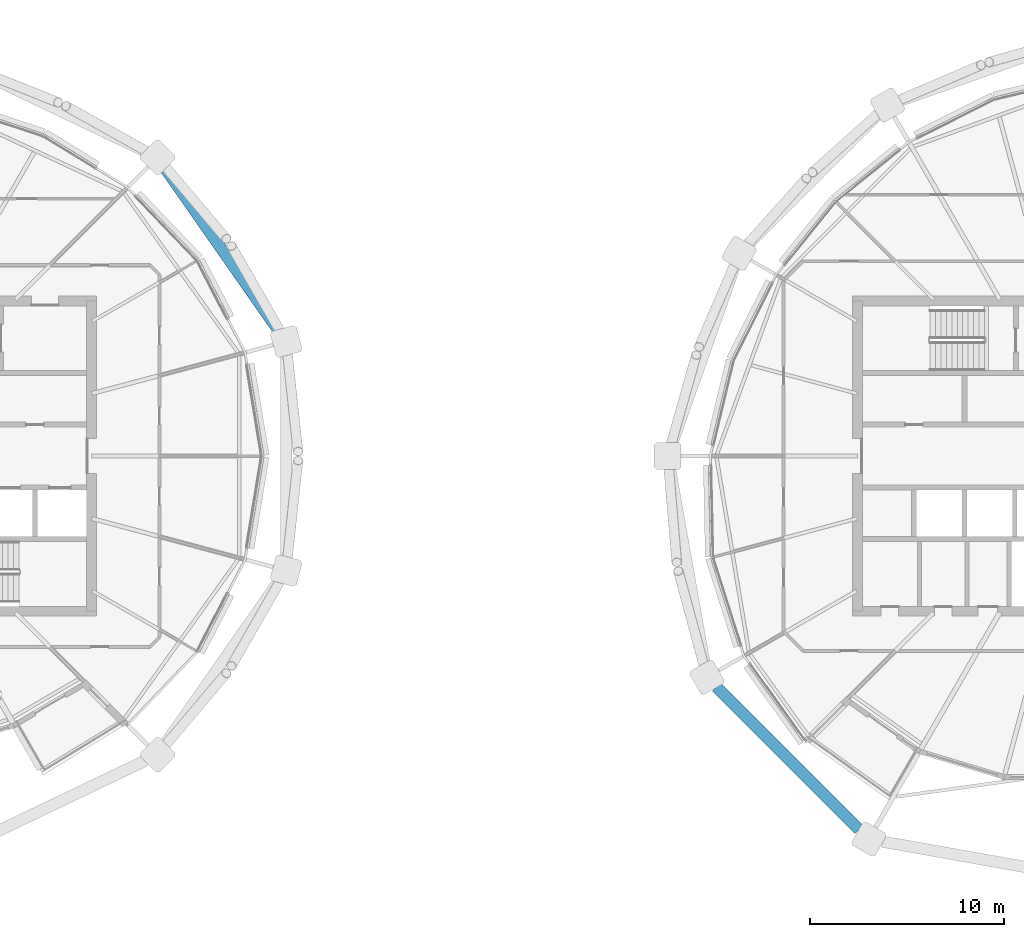
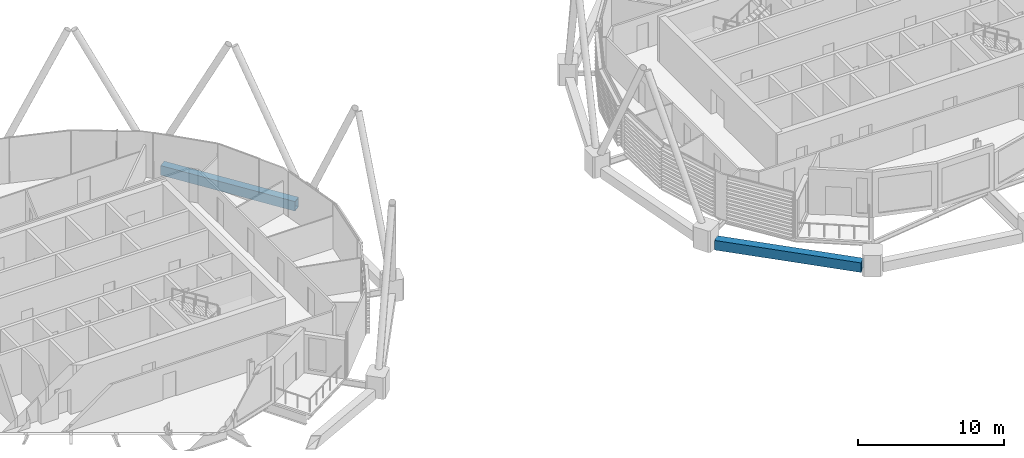
# One storey, part 10 of 34: 2 beams.
"""IFC4 building model written with IfcOpenShell, lengths in metres."""

from ifc_helpers import new_model, si_unit, direction, frame, origin, origin_2d, place, context, subcontext, project, spatial, hollow_rectangle, extrude, material, material_profile, profile_set, type_object, element, save


model = new_model("IFC4")

# Units and contexts
model_context = context("Model", 3, precision=1e-05, world=origin(), true_north=direction((0.0, 1.0)))
body_context = subcontext(model_context, "Body", "Model", "MODEL_VIEW")
ifc_project = project(units=[si_unit("LENGTHUNIT", "METRE"), si_unit("AREAUNIT", "SQUARE_METRE"), si_unit("VOLUMEUNIT", "CUBIC_METRE"), si_unit("PLANEANGLEUNIT", "RADIAN"), si_unit("MASSUNIT", "GRAM", prefix="KILO")], contexts=[model_context])

# Site, building, storey
site_placement = place(None, origin())
site = spatial("IfcSite", under=ifc_project, at=site_placement, CompositionType="ELEMENT")
building_placement = place(site_placement, origin())
building = spatial("IfcBuilding", under=site, at=building_placement, Name="Rimbun Link Towers", CompositionType="ELEMENT")
storey_placement = place(building_placement, frame((0.0, 0.0, 221.89990234375)))
storey = spatial("IfcBuildingStorey", under=building, at=storey_placement, Name="L54", CompositionType="ELEMENT", Elevation=221.89990234375)

# Beams
ifc_material = material(Name="Steel S355J2", Category="steel")
ifc_material_profile = material_profile(ifc_material, hollow_rectangle(XDim=0.60009765625, YDim=0.800048828125, WallThickness=0.0400390625, at=origin_2d()), Name="Exoskeleton ring girder BOX 600x800x40")
ifc_profile_set = profile_set([ifc_material_profile], Name="Steel S355J2")
beam_type = type_object("IfcBeamType", Name="Exoskeleton ring girder BOX 600x800x40", PredefinedType="BEAM", material=ifc_profile_set)
beam_1_placement = place(storey_placement, frame((-10.110107421875, 6.479736328125, -0.559814453125), z_axis=(-0.572582245507, 0.819847285859, 0.0), x_axis=(-0.819847285859, -0.572582245507, 0.0)))
element("IfcBeam", 1, at=beam_1_placement, inside=storey, type_object=beam_type, Name="Exoskeleton ring girder L54 00", PredefinedType="BEAM", context=body_context, shape_type="SweptSolid", body=[
    extrude(hollow_rectangle(XDim=0.60009765625, YDim=0.800048828125, WallThickness=0.0400390625, at=origin_2d()), origin(), (0.0, 0.0, 1.0), 10.187744140625),
])
beam_2_placement = place(storey_placement, frame((12.48388671875, -11.904052734375, -0.559814453125), z_axis=(0.707106781187, -0.707106781187, 0.0), x_axis=(0.707106781187, 0.707106781187, 0.0)))
element("IfcBeam", 2, at=beam_2_placement, inside=storey, type_object=beam_type, Name="Exoskeleton ring girder L54 05", PredefinedType="BEAM", context=body_context, shape_type="SweptSolid", body=[
    extrude(hollow_rectangle(XDim=0.60009765625, YDim=0.800048828125, WallThickness=0.0400390625, at=origin_2d()), origin(), (0.0, 0.0, 1.0), 10.41162109375),
])

save(model, "model.ifc")
